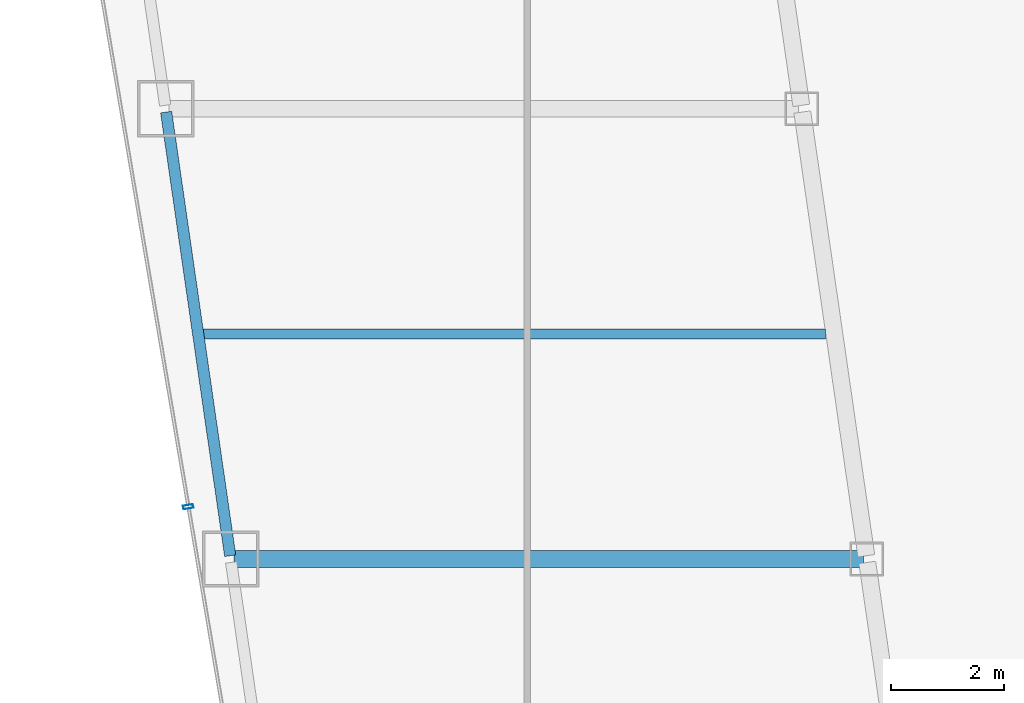
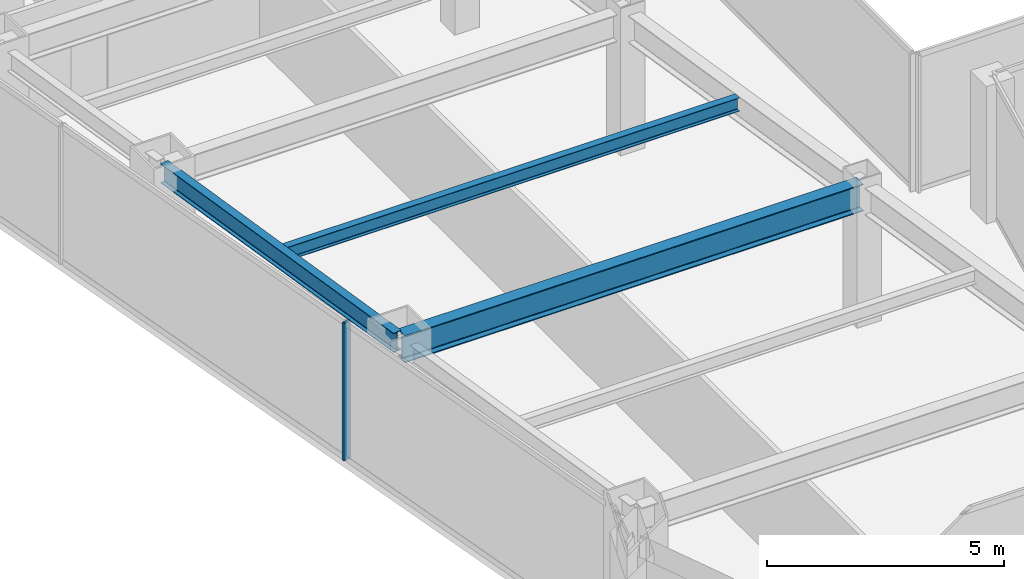
# One storey, part 4 of 35: 3 beams, 1 member, 1 element without a shape of its own.
"""IFC4 building model written with IfcOpenShell, lengths in metres."""

from ifc_helpers import new_model, si_unit, direction, frame, origin, origin_2d, place, context, subcontext, project, spatial, hollow_rectangle, i_section, extrude, material, material_profile, profile_set, type_object, element, aggregate, save


model = new_model("IFC4")

# Units and contexts
model_context = context("Model", 3, precision=1e-05, world=origin(), true_north=direction((0.0, 1.0)))
body_context = subcontext(model_context, "Body", "Model", "MODEL_VIEW")
ifc_project = project(units=[si_unit("LENGTHUNIT", "METRE"), si_unit("AREAUNIT", "SQUARE_METRE"), si_unit("VOLUMEUNIT", "CUBIC_METRE"), si_unit("PLANEANGLEUNIT", "RADIAN"), si_unit("MASSUNIT", "GRAM", prefix="KILO")], contexts=[model_context])

# Site, building, storey
site_placement = place(None, origin())
site = spatial("IfcSite", under=ifc_project, at=site_placement, CompositionType="ELEMENT")
building_placement = place(site_placement, origin())
building = spatial("IfcBuilding", under=site, at=building_placement, Name="Saevonmaru Cultural Tower", CompositionType="ELEMENT")
storey_placement = place(building_placement, frame((0.0, 0.0, 175.199951171875)))
storey = spatial("IfcBuildingStorey", under=building, at=storey_placement, Name="L39", CompositionType="ELEMENT", Elevation=175.199951171875)

# Beams
ifc_material_1 = material(Name="Steel SM355", Category="steel")
ifc_material_profile_1 = material_profile(ifc_material_1, i_section(OverallWidth=0.300048828125, OverallDepth=0.699951171875, WebThickness=0.012939453125, FlangeThickness=0.02392578125, FilletRadius=0.02587890625, at=origin_2d()), Name="H-700x300x13x24")
ifc_profile_set_1 = profile_set([ifc_material_profile_1], Name="Steel SM355")
beam_type_1 = type_object("IfcBeamType", Name="BM-G-H700", PredefinedType="BEAM", material=ifc_profile_set_1)
beam_1_placement = place(storey_placement, frame((9.531982421875, 24.0, 3.199951171875), z_axis=(1.0, 0.0, 0.0), x_axis=(0.0, 1.0, 0.0)))
element("IfcBeam", 1, at=beam_1_placement, inside=storey, type_object=beam_type_1, Name="L39 West Wing Transverse Girder 2", PredefinedType="BEAM", context=body_context, shape_type="SweptSolid", body=[
    extrude(i_section(OverallWidth=0.300048828125, OverallDepth=0.699951171875, WebThickness=0.012939453125, FlangeThickness=0.02392578125, FilletRadius=0.02587890625, at=origin_2d()), origin(), (0.0, 0.0, 1.0), 11.179931640625),
])
ifc_material_profile_2 = material_profile(ifc_material_1, i_section(OverallWidth=0.175048828125, OverallDepth=0.35009765625, WebThickness=0.007080078125, FlangeThickness=0.010986328125, FilletRadius=0.012939453125, at=origin_2d()), Name="H-350x175x7x11")
ifc_profile_set_2 = profile_set([ifc_material_profile_2], Name="Steel SM355")
beam_type_2 = type_object("IfcBeamType", Name="BM-J-H350", PredefinedType="JOIST", material=ifc_profile_set_2)
beam_2_placement = place(storey_placement, frame((8.95458984375, 28.0, 3.375), z_axis=(1.0, 0.0, 0.0), x_axis=(0.0, 1.0, 0.0)))
element("IfcBeam", 2, at=beam_2_placement, inside=storey, type_object=beam_type_2, Name="L39 West Wing Floor Joist 2", PredefinedType="JOIST", context=body_context, shape_type="SweptSolid", body=[
    extrude(i_section(OverallWidth=0.175048828125, OverallDepth=0.35009765625, WebThickness=0.007080078125, FlangeThickness=0.010986328125, FilletRadius=0.012939453125, at=origin_2d()), origin(), (0.0, 0.0, 1.0), 11.08203125),
])
ifc_material_profile_3 = material_profile(ifc_material_1, i_section(OverallWidth=0.199951171875, OverallDepth=0.5, WebThickness=0.010009765625, FlangeThickness=0.01611328125, FilletRadius=0.02001953125, at=origin_2d()), Name="H-500x200x10x16")
ifc_profile_set_3 = profile_set([ifc_material_profile_3], Name="Steel SM355")
beam_type_3 = type_object("IfcBeamType", Name="BM-SP-H500", PredefinedType="SPANDREL", material=ifc_profile_set_3)
beam_3_placement = place(storey_placement, frame((9.46337890625, 24.059326171875, 3.300048828125), z_axis=(-0.142871999001, 0.989741174197, 0.0), x_axis=(-0.989741174197, -0.142871999001, 0.0)))
element("IfcBeam", 3, at=beam_3_placement, inside=storey, type_object=beam_type_3, Name="L39 West Splayed Spandrel 2", PredefinedType="SPANDREL", context=body_context, shape_type="SweptSolid", body=[
    extrude(i_section(OverallWidth=0.199951171875, OverallDepth=0.5, WebThickness=0.010009765625, FlangeThickness=0.01611328125, FilletRadius=0.02001953125, at=origin_2d()), origin(), (0.0, 0.0, 1.0), 7.963134765625),
])

# Curtain wall, member
ifc_material_2 = material(Name="Satin Bronze Anodised Aluminium", Category="aluminium")
curtain_wall_type = type_object("IfcCurtainWallType", Name="CW-TYP-B", PredefinedType="NOTDEFINED", material=ifc_material_2)
curtain_wall_placement = place(storey_placement, origin())
curtain_wall = element("IfcCurtainWall", 4, at=curtain_wall_placement, inside=storey, type_object=curtain_wall_type, Name="L39 Unitised Curtain Wall E12", PredefinedType="NOTDEFINED")
ifc_material_profile_4 = material_profile(ifc_material_2, hollow_rectangle(XDim=0.06494140625, YDim=0.179931640625, WallThickness=0.00390625, at=origin_2d()), Name="ALU-MULL-180x65x4")
ifc_profile_set_4 = profile_set([ifc_material_profile_4], Name="Satin Bronze Anodised Aluminium")
member_type = type_object("IfcMemberType", Name="ML-CW-180x65", PredefinedType="MULLION", material=ifc_profile_set_4)
member_placement = place(storey_placement, frame((8.71826171875, 24.9296875, 0.0), z_axis=(0.0, 0.0, 1.0), x_axis=(0.16692169721, -0.985970155228, 0.0)))
member = element("IfcMember", 5, at=member_placement, type_object=member_type, Name="CW-TW-L39-E12 mullion 4", PredefinedType="MULLION", context=body_context, shape_type="SweptSolid", body=[
    extrude(hollow_rectangle(XDim=0.06494140625, YDim=0.179931640625, WallThickness=0.00390625, at=origin_2d()), origin(), (0.0, 0.0, 1.0), 3.550048828125),
])
aggregate(curtain_wall, [member])

save(model, "model.ifc")
